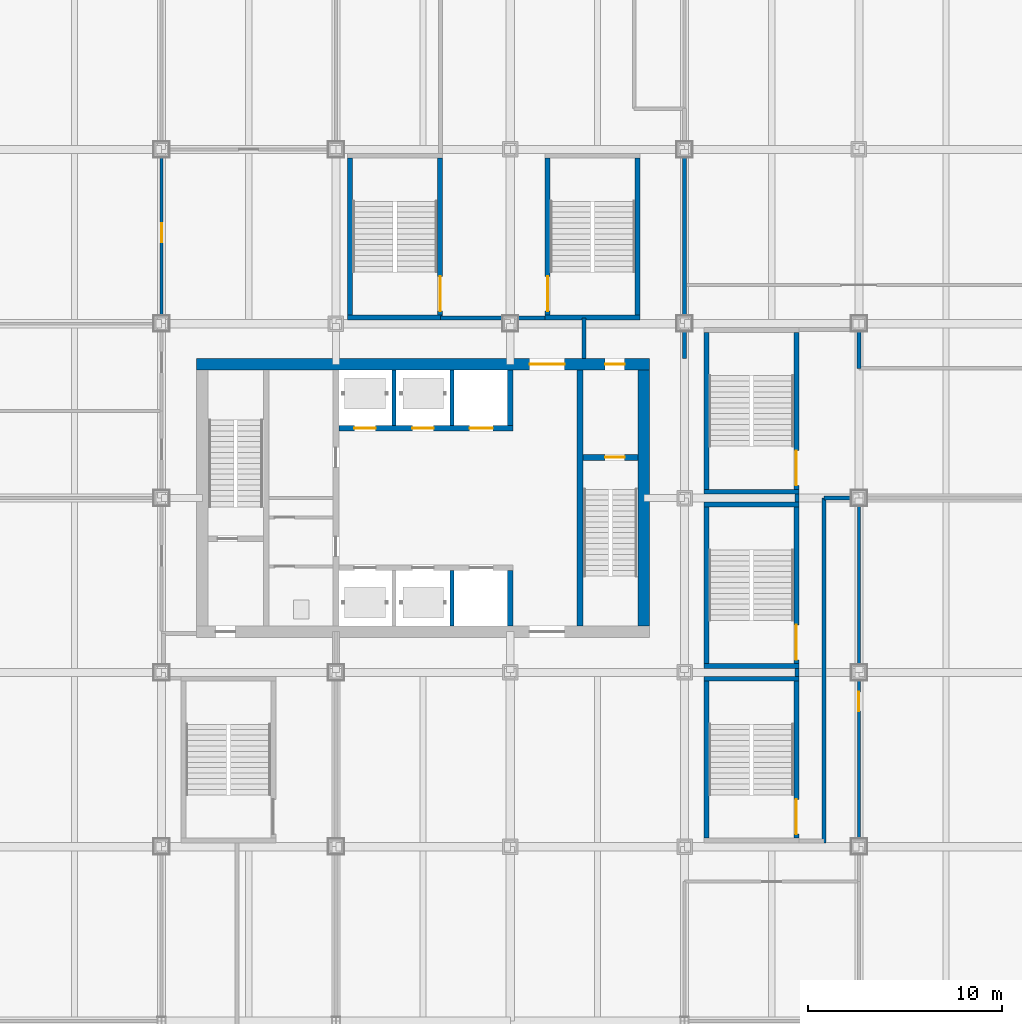
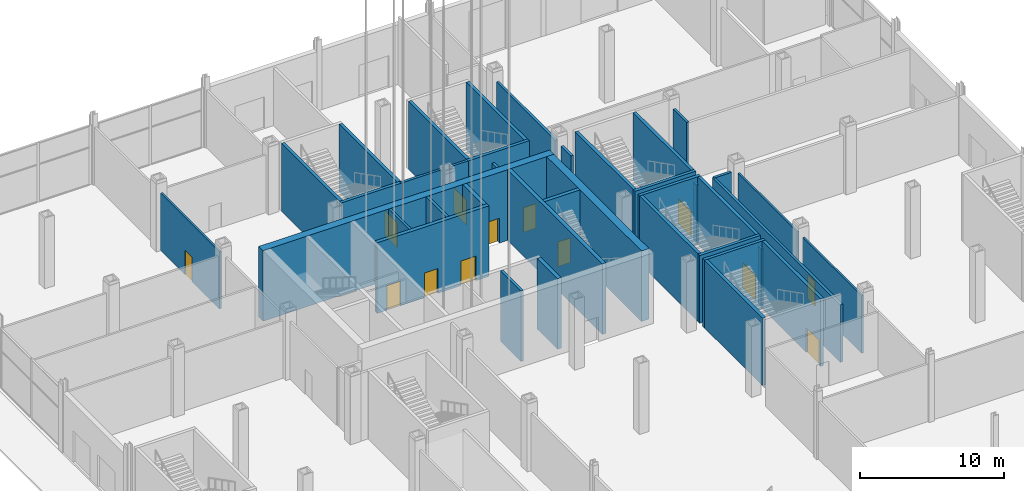
# One storey, part 20 of 34: 39 walls, 13 doors, 13 openings.
"""IFC4 building model written with IfcOpenShell, lengths in metres."""

from ifc_helpers import new_model, si_unit, direction, frame, frame_2d, origin, place, context, subcontext, project, spatial, rectangle, extrude, material, layer, layer_set, type_object, element, fill, save


model = new_model("IFC4")

# Units and contexts
model_context = context("Model", 3, precision=1e-05, world=origin(), true_north=direction((0.0, 1.0)))
body_context = subcontext(model_context, "Body", "Model", "MODEL_VIEW")
ifc_project = project(units=[si_unit("LENGTHUNIT", "METRE"), si_unit("AREAUNIT", "SQUARE_METRE"), si_unit("VOLUMEUNIT", "CUBIC_METRE"), si_unit("PLANEANGLEUNIT", "RADIAN"), si_unit("MASSUNIT", "GRAM", prefix="KILO")], contexts=[model_context])

# Site, building, storey
site_placement = place(None, origin())
site = spatial("IfcSite", under=ifc_project, at=site_placement, CompositionType="ELEMENT")
building_placement = place(site_placement, origin())
building = spatial("IfcBuilding", under=site, at=building_placement, Name="Loomwork Tower", CompositionType="ELEMENT")
storey_placement = place(building_placement, origin())
storey = spatial("IfcBuildingStorey", under=building, at=storey_placement, Name="L00", CompositionType="ELEMENT", Elevation=0.0)

# Wall
ifc_material_1 = material(Name="Concrete 14000 psi (97 MPa)", Category="concrete")
ifc_layer_1 = layer(ifc_material_1, 0.300048828125)
ifc_layer_set_1 = layer_set([ifc_layer_1], Name="Core shear wall 300")
wall_type_1 = type_object("IfcWallType", Name="Core shear wall 300", PredefinedType="SHEAR", material=ifc_layer_set_1)
wall_1_placement = place(storey_placement, frame((27.0, 11.39990234375, 0.0), z_axis=(0.0, 0.0, 1.0), x_axis=(0.0, 1.0, 0.0)))
element("IfcWall", 1, at=wall_1_placement, inside=storey, type_object=wall_type_1, Name="Lift shaft end wall south L00", PredefinedType="SHEAR", context=body_context, shape_type="SweptSolid", body=[
    extrude(rectangle(XDim=2.85009765625, YDim=0.300048828125, at=frame_2d((1.425048828125, 0.0))), origin(), (0.0, 0.0, 1.0), 6.0),
])

# Wall, openings, doors
wall_2_placement = place(storey_placement, frame((18.14990234375, 21.60009765625, 0.0), z_axis=(0.0, 0.0, 1.0), x_axis=(1.0, 0.0, 0.0)))
wall_2 = element("IfcWall", 2, at=wall_2_placement, inside=storey, type_object=wall_type_1, Name="Lift front wall north L00", PredefinedType="SHEAR", context=body_context, shape_type="SweptSolid", body=[
    extrude(rectangle(XDim=9.0, YDim=0.300048828125, at=frame_2d((4.5, 0.0))), origin(), (0.0, 0.0, 1.0), 6.0),
])
opening_1_placement = place(wall_2_placement, frame((0.800048828125, 0.0, 0.0)))
opening_1 = element("IfcOpeningElement", 3, at=opening_1_placement, cuts=wall_2, Name="Opening LD1", PredefinedType="OPENING", context=body_context, shape_type="SweptSolid", body=[
    extrude(rectangle(XDim=1.10009765625, YDim=2.10009765625, at=frame_2d((0.550048828125, 1.050048828125))), frame((0.0, 0.159912109375, 0.0), z_axis=(0.0, -1.0, 0.0), x_axis=(1.0, 0.0, 0.0)), (0.0, 0.0, 1.0), 0.320068359375),
])
opening_2_placement = place(wall_2_placement, frame((3.800048828125, 0.0, 0.0)))
opening_2 = element("IfcOpeningElement", 4, at=opening_2_placement, cuts=wall_2, Name="Opening LD1", PredefinedType="OPENING", context=body_context, shape_type="SweptSolid", body=[
    extrude(rectangle(XDim=1.10009765625, YDim=2.10009765625, at=frame_2d((0.550048828125, 1.050048828125))), frame((0.0, 0.159912109375, 0.0), z_axis=(0.0, -1.0, 0.0), x_axis=(1.0, 0.0, 0.0)), (0.0, 0.0, 1.0), 0.320068359375),
])
opening_3_placement = place(wall_2_placement, frame((6.75, 0.0, 0.0)))
opening_3 = element("IfcOpeningElement", 5, at=opening_3_placement, cuts=wall_2, Name="Opening LD2", PredefinedType="OPENING", context=body_context, shape_type="SweptSolid", body=[
    extrude(rectangle(XDim=1.199951171875, YDim=2.10009765625, at=frame_2d((0.60009765625, 1.050048828125))), frame((0.0, 0.159912109375, 0.0), z_axis=(0.0, -1.0, 0.0), x_axis=(1.0, 0.0, 0.0)), (0.0, 0.0, 1.0), 0.320068359375),
])
ifc_material_2 = material(Name="Hollow metal door and frame")
door_type_1 = type_object("IfcDoorType", Name="Lift landing door 1100", OperationType="SLIDING_TO_LEFT", PredefinedType="DOOR", material=ifc_material_2)
door_1_placement = place(opening_1_placement, origin())
door_1 = element("IfcDoor", 6, at=door_1_placement, inside=storey, type_object=door_type_1, Name="Lift landing door LS1", OperationType="SLIDING_TO_LEFT", OverallHeight=2.10009765625, OverallWidth=1.10009765625, PredefinedType="DOOR", context=body_context, shape_type="SweptSolid", body=[
    extrude(rectangle(XDim=1.10009765625, YDim=2.10009765625, at=frame_2d((0.550048828125, 1.050048828125))), frame((0.0, 0.02490234375, 0.0), z_axis=(0.0, -1.0, 0.0), x_axis=(1.0, 0.0, 0.0)), (0.0, 0.0, 1.0), 0.050048828125),
])
fill(opening_1, door_1)
door_2_placement = place(opening_2_placement, origin())
door_2 = element("IfcDoor", 7, at=door_2_placement, inside=storey, type_object=door_type_1, Name="Lift landing door LS2", OperationType="SLIDING_TO_LEFT", OverallHeight=2.10009765625, OverallWidth=1.10009765625, PredefinedType="DOOR", context=body_context, shape_type="SweptSolid", body=[
    extrude(rectangle(XDim=1.10009765625, YDim=2.10009765625, at=frame_2d((0.550048828125, 1.050048828125))), frame((0.0, 0.02490234375, 0.0), z_axis=(0.0, -1.0, 0.0), x_axis=(1.0, 0.0, 0.0)), (0.0, 0.0, 1.0), 0.050048828125),
])
fill(opening_2, door_2)
ifc_material_3 = material(Name="Hollow metal door and frame")
door_type_2 = type_object("IfcDoorType", Name="Lift landing door 1200", OperationType="SLIDING_TO_LEFT", PredefinedType="DOOR", material=ifc_material_3)
door_3_placement = place(opening_3_placement, origin())
door_3 = element("IfcDoor", 8, at=door_3_placement, inside=storey, type_object=door_type_2, Name="Lift landing door LF2", OperationType="SLIDING_TO_LEFT", OverallHeight=2.10009765625, OverallWidth=1.199951171875, PredefinedType="DOOR", context=body_context, shape_type="SweptSolid", body=[
    extrude(rectangle(XDim=1.199951171875, YDim=2.10009765625, at=frame_2d((0.60009765625, 1.050048828125))), frame((0.0, 0.02490234375, 0.0), z_axis=(0.0, -1.0, 0.0), x_axis=(1.0, 0.0, 0.0)), (0.0, 0.0, 1.0), 0.050048828125),
])
fill(opening_3, door_3)

# Walls
wall_3_placement = place(storey_placement, frame((27.0, 21.75, 0.0), z_axis=(0.0, 0.0, 1.0), x_axis=(0.0, 1.0, 0.0)))
element("IfcWall", 9, at=wall_3_placement, inside=storey, type_object=wall_type_1, Name="Lift shaft end wall north L00", PredefinedType="SHEAR", context=body_context, shape_type="SweptSolid", body=[
    extrude(rectangle(XDim=2.85009765625, YDim=0.300048828125, at=frame_2d((1.425048828125, 0.0))), origin(), (0.0, 0.0, 1.0), 6.0),
])
wall_4_placement = place(storey_placement, frame((30.60009765625, 11.39990234375, 0.0), z_axis=(0.0, 0.0, 1.0), x_axis=(0.0, 1.0, 0.0)))
element("IfcWall", 10, at=wall_4_placement, inside=storey, type_object=wall_type_1, Name="Stair B west wall L00", PredefinedType="SHEAR", context=body_context, shape_type="SweptSolid", body=[
    extrude(rectangle(XDim=13.2001953125, YDim=0.300048828125, at=frame_2d((6.60009765625, 0.0))), origin(), (0.0, 0.0, 1.0), 6.0),
])

# Wall, opening, door
wall_5_placement = place(storey_placement, frame((30.75, 20.10009765625, 0.0), z_axis=(0.0, 0.0, 1.0), x_axis=(1.0, 0.0, 0.0)))
wall_5 = element("IfcWall", 11, at=wall_5_placement, inside=storey, type_object=wall_type_1, Name="Stair B north wall L00", PredefinedType="SHEAR", context=body_context, shape_type="SweptSolid", body=[
    extrude(rectangle(XDim=2.85009765625, YDim=0.300048828125, at=frame_2d((1.425048828125, 0.0))), origin(), (0.0, 0.0, 1.0), 6.0),
])
opening_4_placement = place(wall_5_placement, frame((1.14990234375, 0.0, 0.0)))
opening_4 = element("IfcOpeningElement", 12, at=opening_4_placement, cuts=wall_5, Name="Opening D4", PredefinedType="OPENING", context=body_context, shape_type="SweptSolid", body=[
    extrude(rectangle(XDim=1.0, YDim=2.10009765625, at=frame_2d((0.5, 1.050048828125))), frame((0.0, 0.159912109375, 0.0), z_axis=(0.0, -1.0, 0.0), x_axis=(1.0, 0.0, 0.0)), (0.0, 0.0, 1.0), 0.320068359375),
])
ifc_material_4 = material(Name="Hollow metal door and frame")
door_type_3 = type_object("IfcDoorType", Name="Stair door 1000", OperationType="SINGLE_SWING_RIGHT", PredefinedType="DOOR", material=ifc_material_4)
door_4_placement = place(opening_4_placement, origin())
door_4 = element("IfcDoor", 13, at=door_4_placement, inside=storey, type_object=door_type_3, Name="Stair B door", OperationType="SINGLE_SWING_RIGHT", OverallHeight=2.10009765625, OverallWidth=1.0, PredefinedType="DOOR", context=body_context, shape_type="SweptSolid", body=[
    extrude(rectangle(XDim=1.0, YDim=2.10009765625, at=frame_2d((0.5, 1.050048828125))), frame((0.0, 0.02490234375, 0.0), z_axis=(0.0, -1.0, 0.0), x_axis=(1.0, 0.0, 0.0)), (0.0, 0.0, 1.0), 0.050048828125),
])
fill(opening_4, door_4)

# Wall, openings, doors
ifc_material_5 = material(Name="Concrete 14000 psi (97 MPa)", Category="concrete")
ifc_layer_2 = layer(ifc_material_5, 0.60009765625)
ifc_layer_set_2 = layer_set([ifc_layer_2], Name="Core shear wall 600")
wall_type_2 = type_object("IfcWallType", Name="Core shear wall 600", PredefinedType="SHEAR", material=ifc_layer_set_2)
wall_6_placement = place(storey_placement, frame((10.800048828125, 24.89990234375, 0.0), z_axis=(0.0, 0.0, 1.0), x_axis=(1.0, 0.0, 0.0)))
wall_6 = element("IfcWall", 14, at=wall_6_placement, inside=storey, type_object=wall_type_2, Name="Core wall north L00", PredefinedType="SHEAR", context=body_context, shape_type="SweptSolid", body=[
    extrude(rectangle(XDim=23.39990234375, YDim=0.60009765625, at=frame_2d((11.699951171875, 0.0))), origin(), (0.0, 0.0, 1.0), 6.0),
])
opening_5_placement = place(wall_6_placement, frame((17.199951171875, 0.0, 0.0)))
opening_5 = element("IfcOpeningElement", 15, at=opening_5_placement, cuts=wall_6, Name="Opening D6", PredefinedType="OPENING", context=body_context, shape_type="SweptSolid", body=[
    extrude(rectangle(XDim=1.800048828125, YDim=2.10009765625, at=frame_2d((0.89990234375, 1.050048828125))), frame((0.0, 0.31005859375, 0.0), z_axis=(0.0, -1.0, 0.0), x_axis=(1.0, 0.0, 0.0)), (0.0, 0.0, 1.0), 0.6201171875),
])
opening_6_placement = place(wall_6_placement, frame((21.10009765625, 0.0, 0.0)))
opening_6 = element("IfcOpeningElement", 16, at=opening_6_placement, cuts=wall_6, Name="Opening D4", PredefinedType="OPENING", context=body_context, shape_type="SweptSolid", body=[
    extrude(rectangle(XDim=1.0, YDim=2.10009765625, at=frame_2d((0.5, 1.050048828125))), frame((0.0, 0.31005859375, 0.0), z_axis=(0.0, -1.0, 0.0), x_axis=(1.0, 0.0, 0.0)), (0.0, 0.0, 1.0), 0.6201171875),
])
ifc_material_6 = material(Name="Hollow metal door and frame")
door_type_4 = type_object("IfcDoorType", Name="Lobby passage double door 1800", OperationType="DOUBLE_DOOR_SINGLE_SWING", PredefinedType="DOOR", material=ifc_material_6)
door_5_placement = place(opening_5_placement, frame((1.800048828125, 0.0, 0.0), z_axis=(0.0, 0.0, 1.0), x_axis=(-1.0, 0.0, 0.0)))
door_5 = element("IfcDoor", 17, at=door_5_placement, inside=storey, type_object=door_type_4, Name="Lobby passage door north", OperationType="DOUBLE_DOOR_SINGLE_SWING", OverallHeight=2.10009765625, OverallWidth=1.800048828125, PredefinedType="DOOR", context=body_context, shape_type="SweptSolid", body=[
    extrude(rectangle(XDim=1.800048828125, YDim=2.10009765625, at=frame_2d((0.89990234375, 1.050048828125))), frame((0.0, 0.02490234375, 0.0), z_axis=(0.0, -1.0, 0.0), x_axis=(1.0, 0.0, 0.0)), (0.0, 0.0, 1.0), 0.050048828125),
])
fill(opening_5, door_5)
door_6_placement = place(opening_6_placement, origin())
door_6 = element("IfcDoor", 18, at=door_6_placement, inside=storey, type_object=door_type_3, Name="Stair B vestibule door", OperationType="SINGLE_SWING_RIGHT", OverallHeight=2.10009765625, OverallWidth=1.0, PredefinedType="DOOR", context=body_context, shape_type="SweptSolid", body=[
    extrude(rectangle(XDim=1.0, YDim=2.10009765625, at=frame_2d((0.5, 1.050048828125))), frame((0.0, 0.02490234375, 0.0), z_axis=(0.0, -1.0, 0.0), x_axis=(1.0, 0.0, 0.0)), (0.0, 0.0, 1.0), 0.050048828125),
])
fill(opening_6, door_6)

# Walls
wall_7_placement = place(storey_placement, frame((33.89990234375, 11.39990234375, 0.0), z_axis=(0.0, 0.0, 1.0), x_axis=(0.0, 1.0, 0.0)))
element("IfcWall", 19, at=wall_7_placement, inside=storey, type_object=wall_type_2, Name="Core wall east L00", PredefinedType="SHEAR", context=body_context, shape_type="SweptSolid", body=[
    extrude(rectangle(XDim=13.2001953125, YDim=0.60009765625, at=frame_2d((6.60009765625, 0.0))), origin(), (0.0, 0.0, 1.0), 6.0),
])
ifc_material_7 = material(Name="Concrete 14000 psi (97 MPa)", Category="concrete")
ifc_layer_3 = layer(ifc_material_7, 0.199951171875)
ifc_layer_set_3 = layer_set([ifc_layer_3], Name="Lift shaft wall 200")
wall_type_3 = type_object("IfcWallType", Name="Lift shaft wall 200", PredefinedType="SHEAR", material=ifc_layer_set_3)
for number, where, z_axis, x_axis, name in (
    (20, (24.0, 11.39990234375, 0.0), (0.0, 0.0, 1.0), (0.0, 1.0, 0.0), "Lift shaft separation wall south 2 L00"),
    (21, (21.0, 21.75, 0.0), (0.0, 0.0, 1.0), (0.0, 1.0, 0.0), "Lift shaft separation wall north 1 L00"),
    (22, (24.0, 21.75, 0.0), (0.0, 0.0, 1.0), (0.0, 1.0, 0.0), "Lift shaft separation wall north 2 L00"),
):
    element("IfcWall", number, at=place(storey_placement, frame(where, z_axis=z_axis, x_axis=x_axis)), inside=storey, type_object=wall_type_3, Name=name, PredefinedType="SHEAR", context=body_context, shape_type="SweptSolid", body=[
        extrude(rectangle(XDim=2.85009765625, YDim=0.199951171875, at=frame_2d((1.425048828125, 0.0))), origin(), (0.0, 0.0, 1.0), 6.0),
    ])

# Wall, opening, door
ifc_material_8 = material(Name="Gypsum board on steel studs, one-hour", Category="steel")
ifc_layer_4 = layer(ifc_material_8, 0.14990234375)
ifc_layer_set_4 = layer_set([ifc_layer_4], Name="Partition 150")
wall_type_4 = type_object("IfcWallType", Name="Partition 150", PredefinedType="PARTITIONING", material=ifc_layer_set_4)
wall_8_placement = place(storey_placement, frame((9.0, 35.60009765625, 0.0), z_axis=(0.0, 0.0, 1.0), x_axis=(0.0, -1.0, 0.0)))
wall_8 = element("IfcWall", 23, at=wall_8_placement, inside=storey, type_object=wall_type_4, Name="Partition L00 12.1", PredefinedType="PARTITIONING", context=body_context, shape_type="SweptSolid", body=[
    extrude(rectangle(XDim=8.2001953125, YDim=0.14990234375, at=frame_2d((4.10009765625, 0.0))), origin(), (0.0, 0.0, 1.0), 4.8916015625),
])
opening_7_placement = place(wall_8_placement, frame((3.39990234375, 0.0, 0.0)))
opening_7 = element("IfcOpeningElement", 24, at=opening_7_placement, cuts=wall_8, Name="Opening D7", PredefinedType="OPENING", context=body_context, shape_type="SweptSolid", body=[
    extrude(rectangle(XDim=1.0, YDim=2.10009765625, at=frame_2d((0.5, 1.050048828125))), frame((0.0, 0.0849609375, 0.0), z_axis=(0.0, -1.0, 0.0), x_axis=(1.0, 0.0, 0.0)), (0.0, 0.0, 1.0), 0.169921875),
])
ifc_material_9 = material(Name="Hollow metal door and frame")
door_type_5 = type_object("IfcDoorType", Name="Room door 1000", OperationType="SINGLE_SWING_LEFT", PredefinedType="DOOR", material=ifc_material_9)
door_7_placement = place(opening_7_placement, origin())
door_7 = element("IfcDoor", 25, at=door_7_placement, inside=storey, type_object=door_type_5, Name="Retail unit L00-05 door", OperationType="SINGLE_SWING_LEFT", OverallHeight=2.10009765625, OverallWidth=1.0, PredefinedType="DOOR", context=body_context, shape_type="SweptSolid", body=[
    extrude(rectangle(XDim=1.0, YDim=2.10009765625, at=frame_2d((0.5, 1.050048828125))), frame((0.0, 0.02490234375, 0.0), z_axis=(0.0, -1.0, 0.0), x_axis=(1.0, 0.0, 0.0)), (0.0, 0.0, 1.0), 0.050048828125),
])
fill(opening_7, door_7)

wall_9_placement = place(storey_placement, frame((45.0, 0.39990234375, 0.0), z_axis=(0.0, 0.0, 1.0), x_axis=(0.0, 1.0, 0.0)))
wall_9 = element("IfcWall", 26, at=wall_9_placement, inside=storey, type_object=wall_type_4, Name="Partition L00 24.2", PredefinedType="PARTITIONING", context=body_context, shape_type="SweptSolid", body=[
    extrude(rectangle(XDim=8.2001953125, YDim=0.14990234375, at=frame_2d((4.10009765625, 0.0))), origin(), (0.0, 0.0, 1.0), 4.8916015625),
])
opening_8_placement = place(wall_9_placement, frame((6.60009765625, 0.0, 0.0)))
opening_8 = element("IfcOpeningElement", 27, at=opening_8_placement, cuts=wall_9, Name="Opening D7", PredefinedType="OPENING", context=body_context, shape_type="SweptSolid", body=[
    extrude(rectangle(XDim=1.0, YDim=2.10009765625, at=frame_2d((0.5, 1.050048828125))), frame((0.0, 0.0849609375, 0.0), z_axis=(0.0, -1.0, 0.0), x_axis=(1.0, 0.0, 0.0)), (0.0, 0.0, 1.0), 0.169921875),
])
door_8_placement = place(opening_8_placement, origin())
door_8 = element("IfcDoor", 28, at=door_8_placement, inside=storey, type_object=door_type_5, Name="Retail unit L00-04 door", OperationType="SINGLE_SWING_RIGHT", OverallHeight=2.10009765625, OverallWidth=1.0, PredefinedType="DOOR", context=body_context, shape_type="SweptSolid", body=[
    extrude(rectangle(XDim=1.0, YDim=2.10009765625, at=frame_2d((0.5, 1.050048828125))), frame((0.0, 0.02490234375, 0.0), z_axis=(0.0, -1.0, 0.0), x_axis=(1.0, 0.0, 0.0)), (0.0, 0.0, 1.0), 0.050048828125),
])
fill(opening_8, door_8)

# Walls
wall_10_placement = place(storey_placement, frame((45.0, 9.39990234375, 0.0), z_axis=(0.0, 0.0, 1.0), x_axis=(0.0, 1.0, 0.0)))
element("IfcWall", 29, at=wall_10_placement, inside=storey, type_object=wall_type_4, Name="Partition L00 24.3", PredefinedType="PARTITIONING", context=body_context, shape_type="SweptSolid", body=[
    extrude(rectangle(XDim=8.2001953125, YDim=0.14990234375, at=frame_2d((4.10009765625, 0.0))), origin(), (0.0, 0.0, 1.0), 4.8916015625),
])
ifc_material_10 = material(Name="Gypsum board on steel studs, two-hour", Category="steel")
ifc_layer_5 = layer(ifc_material_10, 0.199951171875)
ifc_layer_set_5 = layer_set([ifc_layer_5], Name="Refuge enclosure wall 200")
wall_type_5 = type_object("IfcWallType", Name="Refuge enclosure wall 200", PredefinedType="PARTITIONING", material=ifc_layer_set_5)
for number, where, z_axis, x_axis, name in (
    (30, (41.800048828125, 8.800048828125, 0.0), (0.0, 0.0, 1.0), (0.0, 1.0, 0.0), "Exit passageway wall ep-e-gap1 1"),
    (31, (41.800048828125, 17.800048828125, 0.0), (0.0, 0.0, 1.0), (0.0, 1.0, 0.0), "Exit passageway wall ep-e-gap2 1"),
):
    element("IfcWall", number, at=place(storey_placement, frame(where, z_axis=z_axis, x_axis=x_axis)), inside=storey, type_object=wall_type_5, Name=name, PredefinedType="PARTITIONING", context=body_context, shape_type="SweptSolid", body=[
        extrude(rectangle(XDim=0.39990234375, YDim=0.199951171875, at=frame_2d((0.199951171875, 0.0))), origin(), (0.0, 0.0, 1.0), 4.89111328125),
    ])
wall_11_placement = place(storey_placement, frame((43.199951171875, 0.199951171875, 0.0), z_axis=(0.0, 0.0, 1.0), x_axis=(0.0, 1.0, 0.0)))
element("IfcWall", 32, at=wall_11_placement, inside=storey, type_object=wall_type_5, Name="Exit passageway wall ep-e-e0 1", PredefinedType="PARTITIONING", context=body_context, shape_type="SweptSolid", body=[
    extrude(rectangle(XDim=17.800048828125, YDim=0.199951171875, at=frame_2d((8.89990234375, 0.0))), origin(), (0.0, 0.0, 1.0), 4.89111328125),
])
wall_12_placement = place(storey_placement, frame((43.199951171875, 18.0, 0.0), z_axis=(0.0, 0.0, 1.0), x_axis=(1.0, 0.0, 0.0)))
element("IfcWall", 33, at=wall_12_placement, inside=storey, type_object=wall_type_5, Name="Exit passageway wall ep-e-s1 1", PredefinedType="PARTITIONING", context=body_context, shape_type="SweptSolid", body=[
    extrude(rectangle(XDim=1.400146484375, YDim=0.199951171875, at=frame_2d((0.7001953125, 0.0))), origin(), (0.0, 0.0, 1.0), 4.8916015625),
])
wall_13_placement = place(storey_placement, frame((45.0, 24.699951171875, 0.0), z_axis=(0.0, 0.0, 1.0), x_axis=(0.0, 1.0, 0.0)))
element("IfcWall", 34, at=wall_13_placement, inside=storey, type_object=wall_type_5, Name="Exit passageway wall ep-e-e1 1", PredefinedType="PARTITIONING", context=body_context, shape_type="SweptSolid", body=[
    extrude(rectangle(XDim=1.900146484375, YDim=0.199951171875, at=frame_2d((0.9501953125, 0.0))), origin(), (0.0, 0.0, 1.0), 4.8916015625),
])
wall_14_placement = place(storey_placement, frame((30.800048828125, 25.199951171875, 0.0), z_axis=(0.0, 0.0, 1.0), x_axis=(0.0, 1.0, 0.0)))
element("IfcWall", 35, at=wall_14_placement, inside=storey, type_object=wall_type_5, Name="Exit passageway wall ep-n-w0 1", PredefinedType="PARTITIONING", context=body_context, shape_type="SweptSolid", body=[
    extrude(rectangle(XDim=2.10009765625, YDim=0.199951171875, at=frame_2d((1.050048828125, 0.0))), origin(), (0.0, 0.0, 1.0), 4.89111328125),
])
wall_15_placement = place(storey_placement, frame((36.0, 25.199951171875, 0.0), z_axis=(0.0, 0.0, 1.0), x_axis=(0.0, 1.0, 0.0)))
element("IfcWall", 36, at=wall_15_placement, inside=storey, type_object=wall_type_5, Name="Exit passageway wall ep-n-e0 1", PredefinedType="PARTITIONING", context=body_context, shape_type="SweptSolid", body=[
    extrude(rectangle(XDim=1.400146484375, YDim=0.199951171875, at=frame_2d((0.7001953125, 0.0))), origin(), (0.0, 0.0, 1.0), 4.8916015625),
])
wall_16_placement = place(storey_placement, frame((36.0, 27.39990234375, 0.0), z_axis=(0.0, 0.0, 1.0), x_axis=(0.0, 1.0, 0.0)))
element("IfcWall", 37, at=wall_16_placement, inside=storey, type_object=wall_type_5, Name="Exit passageway wall ep-n-e0 2", PredefinedType="PARTITIONING", context=body_context, shape_type="SweptSolid", body=[
    extrude(rectangle(XDim=8.2001953125, YDim=0.199951171875, at=frame_2d((4.10009765625, 0.0))), origin(), (0.0, 0.0, 1.0), 4.8916015625),
])
wall_17_placement = place(storey_placement, frame((23.39990234375, 27.300048828125, 0.0), z_axis=(0.0, 0.0, 1.0), x_axis=(1.0, 0.0, 0.0)))
element("IfcWall", 38, at=wall_17_placement, inside=storey, type_object=wall_type_5, Name="Exit passageway wall ep-n-s0 1", PredefinedType="PARTITIONING", context=body_context, shape_type="SweptSolid", body=[
    extrude(rectangle(XDim=3.2001953125, YDim=0.199951171875, at=frame_2d((1.60009765625, 0.0))), origin(), (0.0, 0.0, 1.0), 5.75),
])
wall_18_placement = place(storey_placement, frame((27.39990234375, 27.300048828125, 0.0), z_axis=(0.0, 0.0, 1.0), x_axis=(1.0, 0.0, 0.0)))
element("IfcWall", 39, at=wall_18_placement, inside=storey, type_object=wall_type_5, Name="Exit passageway wall ep-n-s0 2", PredefinedType="PARTITIONING", context=body_context, shape_type="SweptSolid", body=[
    extrude(rectangle(XDim=1.400146484375, YDim=0.199951171875, at=frame_2d((0.7001953125, 0.0))), origin(), (0.0, 0.0, 1.0), 5.75),
])
ifc_material_11 = material(Name="Concrete masonry, two-hour", Category="masonry")
ifc_layer_6 = layer(ifc_material_11, 0.25)
ifc_layer_set_6 = layer_set([ifc_layer_6], Name="Stair enclosure wall 250")
wall_type_6 = type_object("IfcWallType", Name="Stair enclosure wall 250", PredefinedType="SOLIDWALL", material=ifc_layer_set_6)
wall_19_placement = place(storey_placement, frame((37.0, 8.675048828125, 0.0), z_axis=(0.0, 0.0, 1.0), x_axis=(1.0, 0.0, 0.0)))
element("IfcWall", 40, at=wall_19_placement, inside=storey, type_object=wall_type_6, Name="Stair PS7 enclosure wall N L00", PredefinedType="SOLIDWALL", context=body_context, shape_type="SweptSolid", body=[
    extrude(rectangle(XDim=4.89990234375, YDim=0.25, at=frame_2d((2.449951171875, 0.0))), origin(), (0.0, 0.0, 1.0), 5.75),
])
wall_20_placement = place(storey_placement, frame((37.125, 0.449951171875, 0.0), z_axis=(0.0, 0.0, 1.0), x_axis=(0.0, 1.0, 0.0)))
element("IfcWall", 41, at=wall_20_placement, inside=storey, type_object=wall_type_6, Name="Stair PS7 enclosure wall W L00", PredefinedType="SOLIDWALL", context=body_context, shape_type="SweptSolid", body=[
    extrude(rectangle(XDim=8.10009765625, YDim=0.25, at=frame_2d((4.050048828125, 0.0))), origin(), (0.0, 0.0, 1.0), 5.75),
])

# Wall, opening, door
wall_21_placement = place(storey_placement, frame((41.77490234375, 0.449951171875, 0.0), z_axis=(0.0, 0.0, 1.0), x_axis=(0.0, 1.0, 0.0)))
wall_21 = element("IfcWall", 42, at=wall_21_placement, inside=storey, type_object=wall_type_6, Name="Stair PS7 enclosure wall E L00", PredefinedType="SOLIDWALL", context=body_context, shape_type="SweptSolid", body=[
    extrude(rectangle(XDim=8.10009765625, YDim=0.25, at=frame_2d((4.050048828125, 0.0))), origin(), (0.0, 0.0, 1.0), 5.75),
])
opening_9_placement = place(wall_21_placement, frame((0.199951171875, 0.0, 0.0)))
opening_9 = element("IfcOpeningElement", 43, at=opening_9_placement, cuts=wall_21, Name="Opening D14", PredefinedType="OPENING", context=body_context, shape_type="SweptSolid", body=[
    extrude(rectangle(XDim=1.800048828125, YDim=2.10009765625, at=frame_2d((0.89990234375, 1.050048828125))), frame((0.0, 0.135009765625, 0.0), z_axis=(0.0, -1.0, 0.0), x_axis=(1.0, 0.0, 0.0)), (0.0, 0.0, 1.0), 0.27001953125),
])
ifc_material_12 = material(Name="Hollow metal door and frame")
door_type_6 = type_object("IfcDoorType", Name="Stair double door 1800", OperationType="DOUBLE_DOOR_SINGLE_SWING", PredefinedType="DOOR", material=ifc_material_12)
door_9_placement = place(opening_9_placement, frame((1.800048828125, 0.0, 0.0), z_axis=(0.0, 0.0, 1.0), x_axis=(-1.0, 0.0, 0.0)))
door_9 = element("IfcDoor", 44, at=door_9_placement, inside=storey, type_object=door_type_6, Name="Stair PS7 door L00", OperationType="DOUBLE_DOOR_SINGLE_SWING", OverallHeight=2.10009765625, OverallWidth=1.800048828125, PredefinedType="DOOR", context=body_context, shape_type="SweptSolid", body=[
    extrude(rectangle(XDim=1.800048828125, YDim=2.10009765625, at=frame_2d((0.89990234375, 1.050048828125))), frame((0.0, 0.02490234375, 0.0), z_axis=(0.0, -1.0, 0.0), x_axis=(1.0, 0.0, 0.0)), (0.0, 0.0, 1.0), 0.050048828125),
])
fill(opening_9, door_9)

# Walls
for number, where, z_axis, x_axis, name in (
    (45, (37.0, 9.324951171875, 0.0), (0.0, 0.0, 1.0), (1.0, 0.0, 0.0), "Stair PS8 enclosure wall S L00"),
    (46, (37.0, 17.675048828125, 0.0), (0.0, 0.0, 1.0), (1.0, 0.0, 0.0), "Stair PS8 enclosure wall N L00"),
):
    element("IfcWall", number, at=place(storey_placement, frame(where, z_axis=z_axis, x_axis=x_axis)), inside=storey, type_object=wall_type_6, Name=name, PredefinedType="SOLIDWALL", context=body_context, shape_type="SweptSolid", body=[
        extrude(rectangle(XDim=4.89990234375, YDim=0.25, at=frame_2d((2.449951171875, 0.0))), origin(), (0.0, 0.0, 1.0), 5.75),
    ])
wall_22_placement = place(storey_placement, frame((37.125, 9.449951171875, 0.0), z_axis=(0.0, 0.0, 1.0), x_axis=(0.0, 1.0, 0.0)))
element("IfcWall", 47, at=wall_22_placement, inside=storey, type_object=wall_type_6, Name="Stair PS8 enclosure wall W L00", PredefinedType="SOLIDWALL", context=body_context, shape_type="SweptSolid", body=[
    extrude(rectangle(XDim=8.10009765625, YDim=0.25, at=frame_2d((4.050048828125, 0.0))), origin(), (0.0, 0.0, 1.0), 5.75),
])

# Wall, opening, door
wall_23_placement = place(storey_placement, frame((41.77490234375, 9.449951171875, 0.0), z_axis=(0.0, 0.0, 1.0), x_axis=(0.0, 1.0, 0.0)))
wall_23 = element("IfcWall", 48, at=wall_23_placement, inside=storey, type_object=wall_type_6, Name="Stair PS8 enclosure wall E L00", PredefinedType="SOLIDWALL", context=body_context, shape_type="SweptSolid", body=[
    extrude(rectangle(XDim=8.10009765625, YDim=0.25, at=frame_2d((4.050048828125, 0.0))), origin(), (0.0, 0.0, 1.0), 5.75),
])
opening_10_placement = place(wall_23_placement, frame((0.199951171875, 0.0, 0.0)))
opening_10 = element("IfcOpeningElement", 49, at=opening_10_placement, cuts=wall_23, Name="Opening D14", PredefinedType="OPENING", context=body_context, shape_type="SweptSolid", body=[
    extrude(rectangle(XDim=1.800048828125, YDim=2.10009765625, at=frame_2d((0.89990234375, 1.050048828125))), frame((0.0, 0.135009765625, 0.0), z_axis=(0.0, -1.0, 0.0), x_axis=(1.0, 0.0, 0.0)), (0.0, 0.0, 1.0), 0.27001953125),
])
door_10_placement = place(opening_10_placement, frame((1.800048828125, 0.0, 0.0), z_axis=(0.0, 0.0, 1.0), x_axis=(-1.0, 0.0, 0.0)))
door_10 = element("IfcDoor", 50, at=door_10_placement, inside=storey, type_object=door_type_6, Name="Stair PS8 door L00", OperationType="DOUBLE_DOOR_SINGLE_SWING", OverallHeight=2.10009765625, OverallWidth=1.800048828125, PredefinedType="DOOR", context=body_context, shape_type="SweptSolid", body=[
    extrude(rectangle(XDim=1.800048828125, YDim=2.10009765625, at=frame_2d((0.89990234375, 1.050048828125))), frame((0.0, 0.02490234375, 0.0), z_axis=(0.0, -1.0, 0.0), x_axis=(1.0, 0.0, 0.0)), (0.0, 0.0, 1.0), 0.050048828125),
])
fill(opening_10, door_10)

# Walls
wall_24_placement = place(storey_placement, frame((37.0, 18.324951171875, 0.0), z_axis=(0.0, 0.0, 1.0), x_axis=(1.0, 0.0, 0.0)))
element("IfcWall", 51, at=wall_24_placement, inside=storey, type_object=wall_type_6, Name="Stair PS9 enclosure wall S L00", PredefinedType="SOLIDWALL", context=body_context, shape_type="SweptSolid", body=[
    extrude(rectangle(XDim=4.89990234375, YDim=0.25, at=frame_2d((2.449951171875, 0.0))), origin(), (0.0, 0.0, 1.0), 5.75),
])
wall_25_placement = place(storey_placement, frame((37.125, 18.449951171875, 0.0), z_axis=(0.0, 0.0, 1.0), x_axis=(0.0, 1.0, 0.0)))
element("IfcWall", 52, at=wall_25_placement, inside=storey, type_object=wall_type_6, Name="Stair PS9 enclosure wall W L00", PredefinedType="SOLIDWALL", context=body_context, shape_type="SweptSolid", body=[
    extrude(rectangle(XDim=8.10009765625, YDim=0.25, at=frame_2d((4.050048828125, 0.0))), origin(), (0.0, 0.0, 1.0), 5.75),
])

# Wall, opening, door
wall_26_placement = place(storey_placement, frame((41.77490234375, 18.449951171875, 0.0), z_axis=(0.0, 0.0, 1.0), x_axis=(0.0, 1.0, 0.0)))
wall_26 = element("IfcWall", 53, at=wall_26_placement, inside=storey, type_object=wall_type_6, Name="Stair PS9 enclosure wall E L00", PredefinedType="SOLIDWALL", context=body_context, shape_type="SweptSolid", body=[
    extrude(rectangle(XDim=8.10009765625, YDim=0.25, at=frame_2d((4.050048828125, 0.0))), origin(), (0.0, 0.0, 1.0), 5.75),
])
opening_11_placement = place(wall_26_placement, frame((0.199951171875, 0.0, 0.0)))
opening_11 = element("IfcOpeningElement", 54, at=opening_11_placement, cuts=wall_26, Name="Opening D14", PredefinedType="OPENING", context=body_context, shape_type="SweptSolid", body=[
    extrude(rectangle(XDim=1.800048828125, YDim=2.10009765625, at=frame_2d((0.89990234375, 1.050048828125))), frame((0.0, 0.135009765625, 0.0), z_axis=(0.0, -1.0, 0.0), x_axis=(1.0, 0.0, 0.0)), (0.0, 0.0, 1.0), 0.27001953125),
])
door_11_placement = place(opening_11_placement, frame((1.800048828125, 0.0, 0.0), z_axis=(0.0, 0.0, 1.0), x_axis=(-1.0, 0.0, 0.0)))
door_11 = element("IfcDoor", 55, at=door_11_placement, inside=storey, type_object=door_type_6, Name="Stair PS9 door L00", OperationType="DOUBLE_DOOR_SINGLE_SWING", OverallHeight=2.10009765625, OverallWidth=1.800048828125, PredefinedType="DOOR", context=body_context, shape_type="SweptSolid", body=[
    extrude(rectangle(XDim=1.800048828125, YDim=2.10009765625, at=frame_2d((0.89990234375, 1.050048828125))), frame((0.0, 0.02490234375, 0.0), z_axis=(0.0, -1.0, 0.0), x_axis=(1.0, 0.0, 0.0)), (0.0, 0.0, 1.0), 0.050048828125),
])
fill(opening_11, door_11)

# Walls
wall_27_placement = place(storey_placement, frame((18.60009765625, 27.324951171875, 0.0), z_axis=(0.0, 0.0, 1.0), x_axis=(1.0, 0.0, 0.0)))
element("IfcWall", 56, at=wall_27_placement, inside=storey, type_object=wall_type_6, Name="Stair PS10 enclosure wall S L00", PredefinedType="SOLIDWALL", context=body_context, shape_type="SweptSolid", body=[
    extrude(rectangle(XDim=4.89990234375, YDim=0.25, at=frame_2d((2.449951171875, 0.0))), origin(), (0.0, 0.0, 1.0), 5.75),
])
wall_28_placement = place(storey_placement, frame((18.72509765625, 27.449951171875, 0.0), z_axis=(0.0, 0.0, 1.0), x_axis=(0.0, 1.0, 0.0)))
element("IfcWall", 57, at=wall_28_placement, inside=storey, type_object=wall_type_6, Name="Stair PS10 enclosure wall W L00", PredefinedType="SOLIDWALL", context=body_context, shape_type="SweptSolid", body=[
    extrude(rectangle(XDim=8.10009765625, YDim=0.25, at=frame_2d((4.050048828125, 0.0))), origin(), (0.0, 0.0, 1.0), 5.75),
])

# Wall, opening, door
wall_29_placement = place(storey_placement, frame((23.375, 27.449951171875, 0.0), z_axis=(0.0, 0.0, 1.0), x_axis=(0.0, 1.0, 0.0)))
wall_29 = element("IfcWall", 58, at=wall_29_placement, inside=storey, type_object=wall_type_6, Name="Stair PS10 enclosure wall E L00", PredefinedType="SOLIDWALL", context=body_context, shape_type="SweptSolid", body=[
    extrude(rectangle(XDim=8.10009765625, YDim=0.25, at=frame_2d((4.050048828125, 0.0))), origin(), (0.0, 0.0, 1.0), 5.75),
])
opening_12_placement = place(wall_29_placement, frame((0.199951171875, 0.0, 0.0)))
opening_12 = element("IfcOpeningElement", 59, at=opening_12_placement, cuts=wall_29, Name="Opening D14", PredefinedType="OPENING", context=body_context, shape_type="SweptSolid", body=[
    extrude(rectangle(XDim=1.800048828125, YDim=2.10009765625, at=frame_2d((0.89990234375, 1.050048828125))), frame((0.0, 0.135009765625, 0.0), z_axis=(0.0, -1.0, 0.0), x_axis=(1.0, 0.0, 0.0)), (0.0, 0.0, 1.0), 0.27001953125),
])
door_12_placement = place(opening_12_placement, frame((1.800048828125, 0.0, 0.0), z_axis=(0.0, 0.0, 1.0), x_axis=(-1.0, 0.0, 0.0)))
door_12 = element("IfcDoor", 60, at=door_12_placement, inside=storey, type_object=door_type_6, Name="Stair PS10 door L00", OperationType="DOUBLE_DOOR_SINGLE_SWING", OverallHeight=2.10009765625, OverallWidth=1.800048828125, PredefinedType="DOOR", context=body_context, shape_type="SweptSolid", body=[
    extrude(rectangle(XDim=1.800048828125, YDim=2.10009765625, at=frame_2d((0.89990234375, 1.050048828125))), frame((0.0, 0.02490234375, 0.0), z_axis=(0.0, -1.0, 0.0), x_axis=(1.0, 0.0, 0.0)), (0.0, 0.0, 1.0), 0.050048828125),
])
fill(opening_12, door_12)

# Wall
wall_30_placement = place(storey_placement, frame((28.800048828125, 27.324951171875, 0.0), z_axis=(0.0, 0.0, 1.0), x_axis=(1.0, 0.0, 0.0)))
element("IfcWall", 61, at=wall_30_placement, inside=storey, type_object=wall_type_6, Name="Stair PS11 enclosure wall S L00", PredefinedType="SOLIDWALL", context=body_context, shape_type="SweptSolid", body=[
    extrude(rectangle(XDim=4.89990234375, YDim=0.25, at=frame_2d((2.449951171875, 0.0))), origin(), (0.0, 0.0, 1.0), 5.75),
])

# Wall, opening, door
wall_31_placement = place(storey_placement, frame((28.925048828125, 27.449951171875, 0.0), z_axis=(0.0, 0.0, 1.0), x_axis=(0.0, 1.0, 0.0)))
wall_31 = element("IfcWall", 62, at=wall_31_placement, inside=storey, type_object=wall_type_6, Name="Stair PS11 enclosure wall W L00", PredefinedType="SOLIDWALL", context=body_context, shape_type="SweptSolid", body=[
    extrude(rectangle(XDim=8.10009765625, YDim=0.25, at=frame_2d((4.050048828125, 0.0))), origin(), (0.0, 0.0, 1.0), 5.75),
])
opening_13_placement = place(wall_31_placement, frame((0.199951171875, 0.0, 0.0)))
opening_13 = element("IfcOpeningElement", 63, at=opening_13_placement, cuts=wall_31, Name="Opening D14", PredefinedType="OPENING", context=body_context, shape_type="SweptSolid", body=[
    extrude(rectangle(XDim=1.800048828125, YDim=2.10009765625, at=frame_2d((0.89990234375, 1.050048828125))), frame((0.0, 0.135009765625, 0.0), z_axis=(0.0, -1.0, 0.0), x_axis=(1.0, 0.0, 0.0)), (0.0, 0.0, 1.0), 0.27001953125),
])
door_13_placement = place(opening_13_placement, origin())
door_13 = element("IfcDoor", 64, at=door_13_placement, inside=storey, type_object=door_type_6, Name="Stair PS11 door L00", OperationType="DOUBLE_DOOR_SINGLE_SWING", OverallHeight=2.10009765625, OverallWidth=1.800048828125, PredefinedType="DOOR", context=body_context, shape_type="SweptSolid", body=[
    extrude(rectangle(XDim=1.800048828125, YDim=2.10009765625, at=frame_2d((0.89990234375, 1.050048828125))), frame((0.0, 0.02490234375, 0.0), z_axis=(0.0, -1.0, 0.0), x_axis=(1.0, 0.0, 0.0)), (0.0, 0.0, 1.0), 0.050048828125),
])
fill(opening_13, door_13)

# Wall
wall_32_placement = place(storey_placement, frame((33.574951171875, 27.449951171875, 0.0), z_axis=(0.0, 0.0, 1.0), x_axis=(0.0, 1.0, 0.0)))
element("IfcWall", 65, at=wall_32_placement, inside=storey, type_object=wall_type_6, Name="Stair PS11 enclosure wall E L00", PredefinedType="SOLIDWALL", context=body_context, shape_type="SweptSolid", body=[
    extrude(rectangle(XDim=8.10009765625, YDim=0.25, at=frame_2d((4.050048828125, 0.0))), origin(), (0.0, 0.0, 1.0), 5.75),
])

save(model, "model.ifc")
